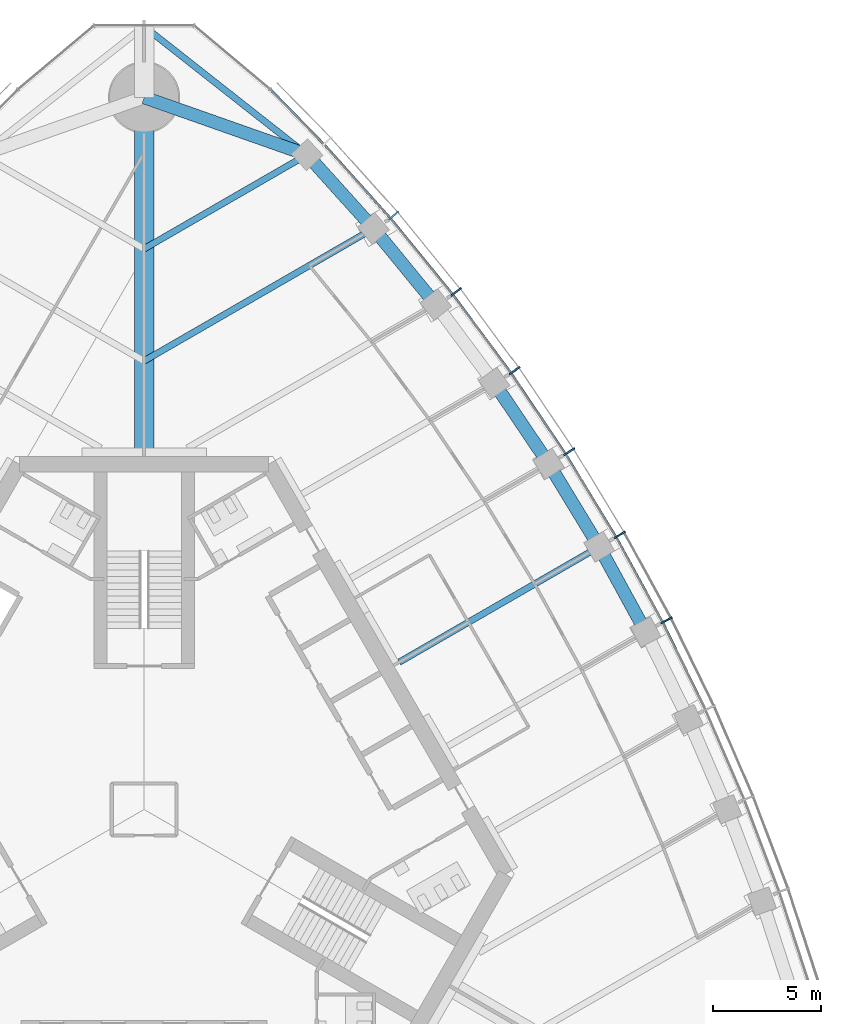
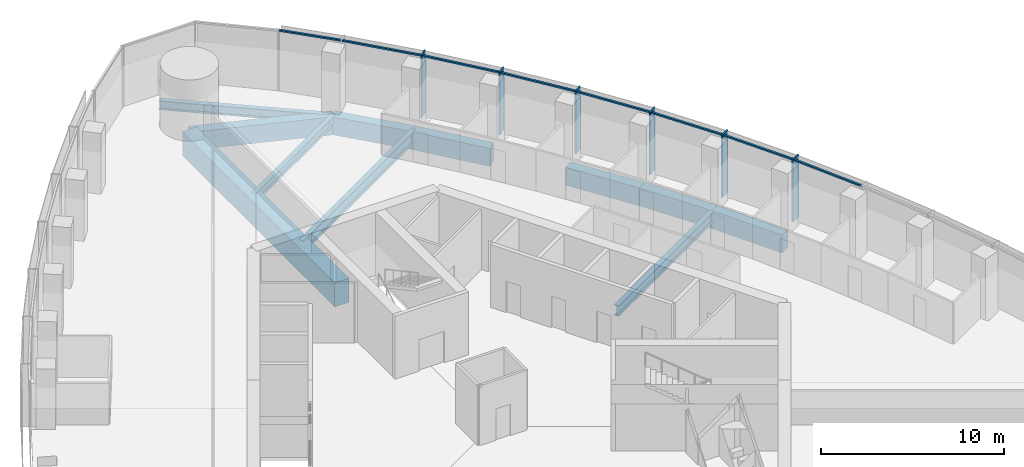
# One storey, part 7 of 20: 14 members, 11 beams, 1 element without a shape of its own.
"""IFC4 building model written with IfcOpenShell, lengths in metres."""

from ifc_helpers import new_model, si_unit, direction, frame, origin, origin_2d, place, context, subcontext, project, spatial, rectangle, i_section, extrude, material, material_profile, profile_set, type_object, element, aggregate, save


model = new_model("IFC4")

# Units and contexts
model_context = context("Model", 3, precision=1e-05, world=origin(), true_north=direction((0.0, 1.0)))
body_context = subcontext(model_context, "Body", "Model", "MODEL_VIEW")
ifc_project = project(units=[si_unit("LENGTHUNIT", "METRE"), si_unit("AREAUNIT", "SQUARE_METRE"), si_unit("VOLUMEUNIT", "CUBIC_METRE"), si_unit("PLANEANGLEUNIT", "RADIAN"), si_unit("MASSUNIT", "GRAM", prefix="KILO")], contexts=[model_context])

# Site, building, storey
site_placement = place(None, origin())
site = spatial("IfcSite", under=ifc_project, at=site_placement, CompositionType="ELEMENT")
building_placement = place(site_placement, origin())
building = spatial("IfcBuilding", under=site, at=building_placement, Name="Trefoil Bronze Tower", CompositionType="ELEMENT")
storey_placement = place(building_placement, frame((0.0, 0.0, 231.699951171875)))
storey = spatial("IfcBuildingStorey", under=building, at=storey_placement, Name="L53", CompositionType="ELEMENT", Elevation=231.699951171875)

# Curtain wall, members
ifc_material_1 = material(Name="Tinted solar-control glass", Category="glass")
curtain_wall_type = type_object("IfcCurtainWallType", Name="Bronze office curtain wall", PredefinedType="USERDEFINED", material=ifc_material_1)
curtain_wall_placement = place(storey_placement, origin())
curtain_wall = element("IfcCurtainWall", 1, at=curtain_wall_placement, inside=storey, type_object=curtain_wall_type, Name="CW-A L53 F2", ObjectType="CURTAIN WALL", PredefinedType="USERDEFINED")
ifc_material_2 = material(Name="Bronze-finish aluminium", Category="aluminium")
ifc_material_profile_1 = material_profile(ifc_material_2, rectangle(XDim=0.60009765625, YDim=0.080078125, at=origin_2d()), Name="CW-A mullion")
ifc_profile_set_1 = profile_set([ifc_material_profile_1], Name="Bronze-finish aluminium")
member_type_1 = type_object("IfcMemberType", Name="Bronze office curtain wall mullion", PredefinedType="MULLION", material=ifc_profile_set_1)
member_1_placement = place(storey_placement, frame((24.2080078125, 8.764404296875, 0.0), z_axis=(0.0, 0.0, 1.0), x_axis=(-0.888088206965, -0.459673075837, 0.0)))
member_1 = element("IfcMember", 2, at=member_1_placement, type_object=member_type_1, Name="CW-A L53 F2 mullion 6", PredefinedType="MULLION", context=body_context, shape_type="SweptSolid", body=[
    extrude(rectangle(XDim=0.60009765625, YDim=0.080078125, at=origin_2d()), origin(), (0.0, 0.0, 1.0), 4.179931640625),
])
member_2_placement = place(storey_placement, frame((22.041015625, 12.725341796875, 0.0), z_axis=(0.0, 0.0, 1.0), x_axis=(-0.866025403784, -0.5, 0.0)))
member_2 = element("IfcMember", 3, at=member_2_placement, type_object=member_type_1, Name="CW-A L53 F2 mullion 7", PredefinedType="MULLION", context=body_context, shape_type="SweptSolid", body=[
    extrude(rectangle(XDim=0.60009765625, YDim=0.080078125, at=origin_2d()), origin(), (0.0, 0.0, 1.0), 4.179931640625),
])
member_3_placement = place(storey_placement, frame((19.694091796875, 16.58251953125, 0.0), z_axis=(0.0, 0.0, 1.0), x_axis=(-0.842132664593, -0.539270410114, 0.0)))
member_3 = element("IfcMember", 4, at=member_3_placement, type_object=member_type_1, Name="CW-A L53 F2 mullion 8", PredefinedType="MULLION", context=body_context, shape_type="SweptSolid", body=[
    extrude(rectangle(XDim=0.60009765625, YDim=0.080078125, at=origin_2d()), origin(), (0.0, 0.0, 1.0), 4.179931640625),
])
member_4_placement = place(storey_placement, frame((17.167236328125, 20.335693359375, 0.0), z_axis=(0.0, 0.0, 1.0), x_axis=(-0.81640398396, -0.577481198806, 0.0)))
member_4 = element("IfcMember", 5, at=member_4_placement, type_object=member_type_1, Name="CW-A L53 F2 mullion 9", PredefinedType="MULLION", context=body_context, shape_type="SweptSolid", body=[
    extrude(rectangle(XDim=0.60009765625, YDim=0.080078125, at=origin_2d()), origin(), (0.0, 0.0, 1.0), 4.179931640625),
])
member_5_placement = place(storey_placement, frame((14.45849609375, 23.98388671875, 0.0), z_axis=(0.0, 0.0, 1.0), x_axis=(-0.788821461078, -0.614622406476, 0.0)))
member_5 = element("IfcMember", 6, at=member_5_placement, type_object=member_type_1, Name="CW-A L53 F2 mullion 10", PredefinedType="MULLION", context=body_context, shape_type="SweptSolid", body=[
    extrude(rectangle(XDim=0.60009765625, YDim=0.080078125, at=origin_2d()), origin(), (0.0, 0.0, 1.0), 4.179931640625),
])
member_6_placement = place(storey_placement, frame((11.564697265625, 27.525146484375, 0.0), z_axis=(0.0, 0.0, 1.0), x_axis=(-0.75935470958, -0.650676897576, 0.0)))
member_6 = element("IfcMember", 7, at=member_6_placement, type_object=member_type_1, Name="CW-A L53 F2 mullion 11", PredefinedType="MULLION", context=body_context, shape_type="SweptSolid", body=[
    extrude(rectangle(XDim=0.60009765625, YDim=0.080078125, at=origin_2d()), origin(), (0.0, 0.0, 1.0), 4.179931640625),
])
ifc_material_3 = material(Name="Bronze-finish aluminium", Category="aluminium")
ifc_material_profile_2 = material_profile(ifc_material_3, rectangle(XDim=0.1201171875, YDim=0.10009765625, at=origin_2d()), Name="CW-A transom")
ifc_profile_set_2 = profile_set([ifc_material_profile_2], Name="Bronze-finish aluminium")
member_type_2 = type_object("IfcMemberType", Name="Bronze office curtain wall transom", PredefinedType="USERDEFINED", material=ifc_profile_set_2)
member_7_placement = place(storey_placement, frame((25.99462890625, 4.65380859375, 4.130126953125), z_axis=(-0.439150835991, 0.898413347657, 0.0), x_axis=(-0.898413347657, -0.439150835991, 0.0)))
member_7 = element("IfcMember", 8, at=member_7_placement, type_object=member_type_2, Name="CW-A L53 F2 transom 5", ObjectType="TRANSOM", PredefinedType="USERDEFINED", context=body_context, shape_type="SweptSolid", body=[
    extrude(rectangle(XDim=0.1201171875, YDim=0.10009765625, at=origin_2d()), origin(), (0.0, 0.0, 1.0), 4.430908203125),
])
member_8_placement = place(storey_placement, frame((24.010009765625, 8.70947265625, 4.130126953125), z_axis=(-0.479973729071, 0.877282861683, 0.0), x_axis=(-0.877282861683, -0.479973729071, 0.0)))
member_8 = element("IfcMember", 9, at=member_8_placement, type_object=member_type_2, Name="CW-A L53 F2 transom 6", ObjectType="TRANSOM", PredefinedType="USERDEFINED", context=body_context, shape_type="SweptSolid", body=[
    extrude(rectangle(XDim=0.1201171875, YDim=0.10009765625, at=origin_2d()), origin(), (0.0, 0.0, 1.0), 4.421142578125),
])
member_9_placement = place(storey_placement, frame((21.845703125, 12.661376953125, 4.130126953125), z_axis=(-0.519740214649, 0.854324358354, 0.0), x_axis=(-0.854324358354, -0.519740214649, 0.0)))
member_9 = element("IfcMember", 10, at=member_9_placement, type_object=member_type_2, Name="CW-A L53 F2 transom 7", ObjectType="TRANSOM", PredefinedType="USERDEFINED", context=body_context, shape_type="SweptSolid", body=[
    extrude(rectangle(XDim=0.1201171875, YDim=0.10009765625, at=origin_2d()), origin(), (0.0, 0.0, 1.0), 4.421142578125),
])
member_10_placement = place(storey_placement, frame((19.502197265625, 16.509765625, 4.130126953125), z_axis=(-0.558509087547, 0.829498402125, 0.0), x_axis=(-0.829498402125, -0.558509087547, 0.0)))
member_10 = element("IfcMember", 11, at=member_10_placement, type_object=member_type_2, Name="CW-A L53 F2 transom 8", ObjectType="TRANSOM", PredefinedType="USERDEFINED", context=body_context, shape_type="SweptSolid", body=[
    extrude(rectangle(XDim=0.1201171875, YDim=0.10009765625, at=origin_2d()), origin(), (0.0, 0.0, 1.0), 4.4306640625),
])
member_11_placement = place(storey_placement, frame((16.978759765625, 20.254150390625, 4.130126953125), z_axis=(-0.59614822717, 0.802874393191, 0.0), x_axis=(-0.802874393191, -0.59614822717, 0.0)))
member_11 = element("IfcMember", 12, at=member_11_placement, type_object=member_type_2, Name="CW-A L53 F2 transom 9", ObjectType="TRANSOM", PredefinedType="USERDEFINED", context=body_context, shape_type="SweptSolid", body=[
    extrude(rectangle(XDim=0.1201171875, YDim=0.10009765625, at=origin_2d()), origin(), (0.0, 0.0, 1.0), 4.449951171875),
])
member_12_placement = place(storey_placement, frame((14.27392578125, 23.8935546875, 4.130126953125), z_axis=(-0.632756871921, 0.774350528531, 0.0), x_axis=(-0.774350528531, -0.632756871921, 0.0)))
member_12 = element("IfcMember", 13, at=member_12_placement, type_object=member_type_2, Name="CW-A L53 F2 transom 10", ObjectType="TRANSOM", PredefinedType="USERDEFINED", context=body_context, shape_type="SweptSolid", body=[
    extrude(rectangle(XDim=0.1201171875, YDim=0.10009765625, at=origin_2d()), origin(), (0.0, 0.0, 1.0), 4.4794921875),
])
member_13_placement = place(storey_placement, frame((11.384521484375, 27.426513671875, 4.130126953125), z_axis=(-0.66825109551, 0.743935799213, 0.0), x_axis=(-0.743935799213, -0.66825109551, 0.0)))
member_13 = element("IfcMember", 14, at=member_13_placement, type_object=member_type_2, Name="CW-A L53 F2 transom 11", ObjectType="TRANSOM", PredefinedType="USERDEFINED", context=body_context, shape_type="SweptSolid", body=[
    extrude(rectangle(XDim=0.1201171875, YDim=0.10009765625, at=origin_2d()), origin(), (0.0, 0.0, 1.0), 4.519287109375),
])
member_14_placement = place(storey_placement, frame((8.306884765625, 30.85009765625, 4.130126953125), z_axis=(-0.698646935368, 0.715466602785, 0.0), x_axis=(-0.715466602785, -0.698646935368, 0.0)))
member_14 = element("IfcMember", 15, at=member_14_placement, type_object=member_type_2, Name="CW-A L53 F2 transom 12", ObjectType="TRANSOM", PredefinedType="USERDEFINED", context=body_context, shape_type="SweptSolid", body=[
    extrude(rectangle(XDim=0.1201171875, YDim=0.10009765625, at=origin_2d()), origin(), (0.0, 0.0, 1.0), 3.483642578125),
])
aggregate(curtain_wall, [member_1, member_2, member_3, member_4, member_5, member_6, member_7, member_8, member_9, member_10, member_11, member_12, member_13, member_14])

# Beams
ifc_material_4 = material(Name="Steel C355", Category="steel")
ifc_material_profile_3 = material_profile(ifc_material_4, i_section(OverallWidth=0.300048828125, OverallDepth=0.60009765625, WebThickness=0.015380859375, FlangeThickness=0.030029296875, FilletRadius=0.027099609375, at=origin_2d()), Name="HEB 600")
ifc_profile_set_3 = profile_set([ifc_material_profile_3], Name="Steel C355")
beam_type_1 = type_object("IfcBeamType", Name="Corner edge beam HEB 600", PredefinedType="BEAM", material=ifc_profile_set_3)
beam_1_placement = place(storey_placement, frame((7.552001953125, 30.3408203125, -0.5), z_axis=(-0.785805912008, 0.618473175371, 0.0), x_axis=(-0.618473175371, -0.785805912008, 0.0)))
element("IfcBeam", 16, at=beam_1_placement, inside=storey, type_object=beam_type_1, Name="Corner edge beam F2A L53", PredefinedType="BEAM", context=body_context, shape_type="SweptSolid", body=[
    extrude(i_section(OverallWidth=0.300048828125, OverallDepth=0.60009765625, WebThickness=0.015380859375, FlangeThickness=0.030029296875, FilletRadius=0.027099609375, at=origin_2d()), origin(), (0.0, 0.0, 1.0), 9.610595703125),
])
ifc_material_5 = material(Name="Concrete B80", Category="concrete")
ifc_material_profile_4 = material_profile(ifc_material_5, rectangle(XDim=0.89990234375, YDim=1.60009765625, at=origin_2d()), Name="RC 900x1600")
ifc_profile_set_4 = profile_set([ifc_material_profile_4], Name="Concrete B80")
beam_type_2 = type_object("IfcBeamType", Name="Corner girder RC 900x1600", PredefinedType="BEAM", material=ifc_profile_set_4)
beam_2_placement = place(storey_placement, frame((0.0, 16.35009765625, -1.0), z_axis=(0.0, 1.0, 0.0), x_axis=(-1.0, 0.0, 0.0)))
element("IfcBeam", 17, at=beam_2_placement, inside=storey, type_object=beam_type_2, Name="Corner girder K2 L53", PredefinedType="BEAM", context=body_context, shape_type="SweptSolid", body=[
    extrude(rectangle(XDim=0.89990234375, YDim=1.60009765625, at=origin_2d()), origin(), (0.0, 0.0, 1.0), 16.64990234375),
])
ifc_material_6 = material(Name="Concrete B80", Category="concrete")
ifc_material_profile_5 = material_profile(ifc_material_6, rectangle(XDim=0.60009765625, YDim=1.199951171875, at=origin_2d()), Name="RC 600x1200")
ifc_profile_set_5 = profile_set([ifc_material_profile_5], Name="Concrete B80")
beam_type_3 = type_object("IfcBeamType", Name="End spandrel beam RC 600x1200", PredefinedType="SPANDREL", material=ifc_profile_set_5)
beam_3_placement = place(storey_placement, frame((7.552001953125, 30.3408203125, -0.800048828125), z_axis=(-0.943234397359, 0.332127794137, 0.0), x_axis=(-0.332127794137, -0.943234397359, 0.0)))
element("IfcBeam", 18, at=beam_3_placement, inside=storey, type_object=beam_type_3, Name="Spandrel F2.12 L53", PredefinedType="SPANDREL", context=body_context, shape_type="SweptSolid", body=[
    extrude(rectangle(XDim=0.60009765625, YDim=1.199951171875, at=origin_2d()), origin(), (0.0, 0.0, 1.0), 8.006591796875),
])
ifc_material_7 = material(Name="Steel C355", Category="steel")
ifc_material_profile_6 = material_profile(ifc_material_7, i_section(OverallWidth=0.300048828125, OverallDepth=0.590087890625, WebThickness=0.012939453125, FlangeThickness=0.02490234375, FilletRadius=0.027099609375, at=origin_2d()), Name="HEA 600")
ifc_profile_set_6 = profile_set([ifc_material_profile_6], Name="Steel C355")
beam_type_4 = type_object("IfcBeamType", Name="Floor beam HEA 600", PredefinedType="BEAM", material=ifc_profile_set_6)
beam_4_placement = place(storey_placement, frame((7.552001953125, 30.3408203125, -0.494873046875), z_axis=(-0.866027535932, -0.499996306993, 0.0), x_axis=(0.499996306993, -0.866027535932, 0.0)))
element("IfcBeam", 19, at=beam_4_placement, inside=storey, type_object=beam_type_4, Name="Floor beam F2/+5 L53", PredefinedType="BEAM", context=body_context, shape_type="SweptSolid", body=[
    extrude(i_section(OverallWidth=0.300048828125, OverallDepth=0.590087890625, WebThickness=0.012939453125, FlangeThickness=0.02490234375, FilletRadius=0.027099609375, at=origin_2d()), origin(), (0.0, 0.0, 1.0), 8.72021484375),
])
ifc_material_8 = material(Name="Steel C355", Category="steel")
ifc_material_profile_7 = material_profile(ifc_material_8, i_section(OverallWidth=0.300048828125, OverallDepth=0.699951171875, WebThickness=0.01708984375, FlangeThickness=0.031982421875, FilletRadius=0.027099609375, at=origin_2d()), Name="HEB 700")
ifc_profile_set_7 = profile_set([ifc_material_profile_7], Name="Steel C355")
beam_type_5 = type_object("IfcBeamType", Name="Floor beam HEB 700", PredefinedType="BEAM", material=ifc_profile_set_7)
beam_5_placement = place(storey_placement, frame((21.08837890625, 12.17529296875, -0.550048828125), z_axis=(-0.86602601154, -0.499998947334, 0.0), x_axis=(0.499998947334, -0.86602601154, 0.0)))
element("IfcBeam", 20, at=beam_5_placement, inside=storey, type_object=beam_type_5, Name="Floor beam F2/+0 L53", PredefinedType="BEAM", context=body_context, shape_type="SweptSolid", body=[
    extrude(i_section(OverallWidth=0.300048828125, OverallDepth=0.699951171875, WebThickness=0.01708984375, FlangeThickness=0.031982421875, FilletRadius=0.027099609375, at=origin_2d()), origin(), (0.0, 0.0, 1.0), 10.70068359375),
])
ifc_material_9 = material(Name="Steel C355", Category="steel")
ifc_material_profile_8 = material_profile(ifc_material_9, i_section(OverallWidth=0.300048828125, OverallDepth=0.800048828125, WebThickness=0.017578125, FlangeThickness=0.032958984375, FilletRadius=0.030029296875, at=origin_2d()), Name="HEB 800")
ifc_profile_set_8 = profile_set([ifc_material_profile_8], Name="Steel C355")
beam_type_6 = type_object("IfcBeamType", Name="Floor beam HEB 800", PredefinedType="BEAM", material=ifc_profile_set_8)
beam_6_placement = place(storey_placement, frame((10.632080078125, 26.923095703125, -0.599853515625), z_axis=(-0.866025635187, -0.499999599199, 0.0), x_axis=(0.499999599199, -0.866025635187, 0.0)))
element("IfcBeam", 21, at=beam_6_placement, inside=storey, type_object=beam_type_6, Name="Floor beam F2/+4 L53", PredefinedType="BEAM", context=body_context, shape_type="SweptSolid", body=[
    extrude(i_section(OverallWidth=0.300048828125, OverallDepth=0.800048828125, WebThickness=0.017578125, FlangeThickness=0.032958984375, FilletRadius=0.030029296875, at=origin_2d()), origin(), (0.0, 0.0, 1.0), 12.27685546875),
])
ifc_material_10 = material(Name="Concrete B80", Category="concrete")
ifc_material_profile_9 = material_profile(ifc_material_10, rectangle(XDim=0.60009765625, YDim=1.199951171875, at=origin_2d()), Name="RC 600x1200")
ifc_profile_set_9 = profile_set([ifc_material_profile_9], Name="Concrete B80")
beam_type_7 = type_object("IfcBeamType", Name="Spandrel beam RC 600x1200", PredefinedType="SPANDREL", material=ifc_profile_set_9)
for number, where, z_axis, x_axis, name in (
    (22, (23.248046875, 8.22607421875, -0.800048828125), (-0.479801903802, 0.87737684783, 0.0), (-0.87737684783, -0.479801903802, 0.0), "Spandrel F2.6 L53"),
    (23, (21.08837890625, 12.17529296875, -0.800048828125), (-0.519933181394, 0.854206934464, 0.0), (-0.854206934464, -0.519933181394, 0.0), "Spandrel F2.7 L53"),
):
    element("IfcBeam", number, at=place(storey_placement, frame(where, z_axis=z_axis, x_axis=x_axis)), inside=storey, type_object=beam_type_7, Name=name, PredefinedType="SPANDREL", context=body_context, shape_type="SweptSolid", body=[
        extrude(rectangle(XDim=0.60009765625, YDim=1.199951171875, at=origin_2d()), origin(), (0.0, 0.0, 1.0), 4.501220703125),
    ])
beam_7_placement = place(storey_placement, frame((18.748046875, 16.020263671875, -0.800048828125), z_axis=(-0.558964302753, 0.829191719838, 0.0), x_axis=(-0.829191719838, -0.558964302753, 0.0)))
element("IfcBeam", 24, at=beam_7_placement, inside=storey, type_object=beam_type_7, Name="Spandrel F2.8 L53", PredefinedType="SPANDREL", context=body_context, shape_type="SweptSolid", body=[
    extrude(rectangle(XDim=0.60009765625, YDim=1.199951171875, at=origin_2d()), origin(), (0.0, 0.0, 1.0), 4.510986328125),
])
beam_8_placement = place(storey_placement, frame((13.522216796875, 23.3955078125, -0.800048828125), z_axis=(-0.633753657863, 0.773534938542, 0.0), x_axis=(-0.773534938542, -0.633753657863, 0.0)))
element("IfcBeam", 25, at=beam_8_placement, inside=storey, type_object=beam_type_7, Name="Spandrel F2.10 L53", PredefinedType="SPANDREL", context=body_context, shape_type="SweptSolid", body=[
    extrude(rectangle(XDim=0.60009765625, YDim=1.199951171875, at=origin_2d()), origin(), (0.0, 0.0, 1.0), 4.560302734375),
])
beam_9_placement = place(storey_placement, frame((10.632080078125, 26.923095703125, -0.800048828125), z_axis=(-0.669460045872, 0.742848064534, 0.0), x_axis=(-0.742848064534, -0.669460045872, 0.0)))
element("IfcBeam", 26, at=beam_9_placement, inside=storey, type_object=beam_type_7, Name="Spandrel F2.11 L53", PredefinedType="SPANDREL", context=body_context, shape_type="SweptSolid", body=[
    extrude(rectangle(XDim=0.60009765625, YDim=1.199951171875, at=origin_2d()), origin(), (0.0, 0.0, 1.0), 4.600830078125),
])

save(model, "model.ifc")
